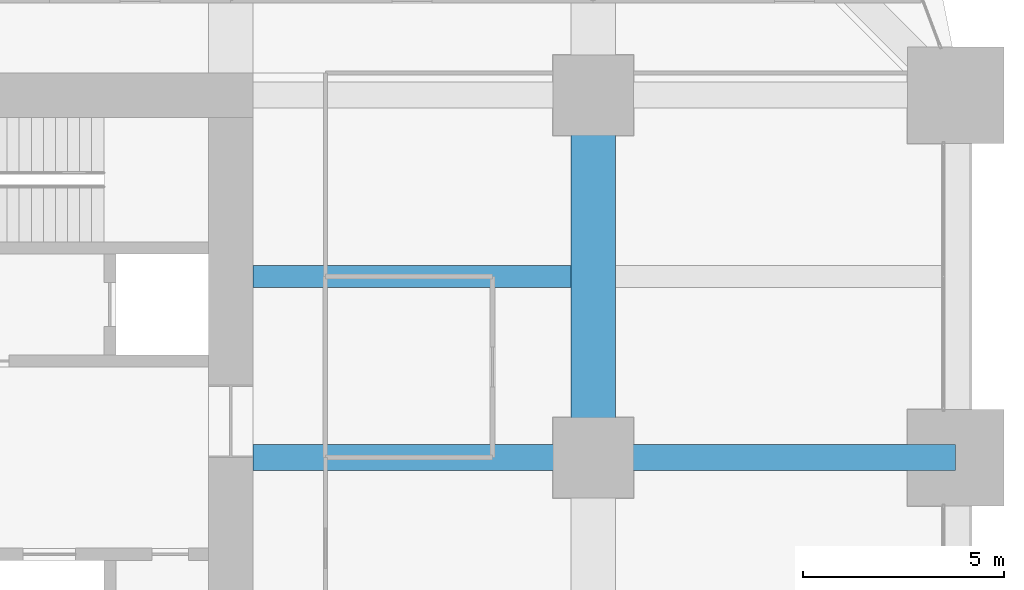
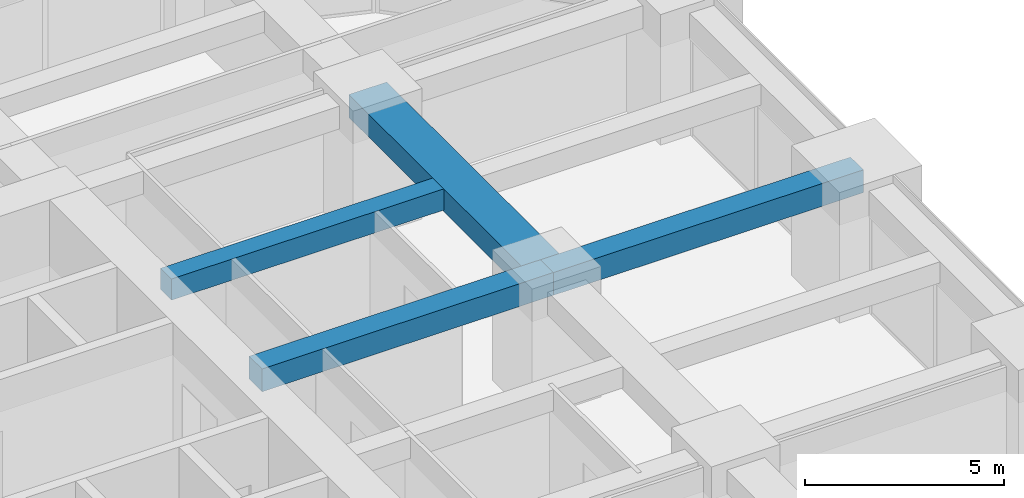
# One storey, part 22 of 41: 4 beams.
"""IFC4 building model written with IfcOpenShell, lengths in metres."""

from ifc_helpers import new_model, si_unit, direction, frame, origin, origin_2d, place, context, subcontext, project, spatial, rectangle, extrude, material, material_profile, profile_set, type_object, element, save


model = new_model("IFC4")

# Units and contexts
model_context = context("Model", 3, precision=1e-05, world=origin(), true_north=direction((0.0, 1.0)))
body_context = subcontext(model_context, "Body", "Model", "MODEL_VIEW")
ifc_project = project(units=[si_unit("LENGTHUNIT", "METRE"), si_unit("AREAUNIT", "SQUARE_METRE"), si_unit("VOLUMEUNIT", "CUBIC_METRE"), si_unit("PLANEANGLEUNIT", "RADIAN"), si_unit("MASSUNIT", "GRAM", prefix="KILO")], contexts=[model_context])

# Site, building, storey
site_placement = place(None, origin())
site = spatial("IfcSite", under=ifc_project, at=site_placement, CompositionType="ELEMENT")
building_placement = place(site_placement, origin())
building = spatial("IfcBuilding", under=site, at=building_placement, Name="Zorevar Civic Tower", CompositionType="ELEMENT")
storey_placement = place(building_placement, frame((0.0, 0.0, 105.0)))
storey = spatial("IfcBuildingStorey", under=building, at=storey_placement, Name="L25", CompositionType="ELEMENT", Elevation=105.0)

# Beams
ifc_material_1 = material(Name="Concrete C50/60", Category="concrete")
ifc_material_profile_1 = material_profile(ifc_material_1, rectangle(XDim=1.10009765625, YDim=0.699951171875, at=origin_2d()), Name="RC 1100x700")
ifc_profile_set_1 = profile_set([ifc_material_profile_1], Name="Concrete C50/60")
beam_type_1 = type_object("IfcBeamType", Name="Beam RC 1100x700", PredefinedType="BEAM", material=ifc_profile_set_1)
beam_1_placement = place(storey_placement, frame((54.0, 27.0, 3.39990234375), z_axis=(0.0, 1.0, 0.0), x_axis=(-1.0, 0.0, 0.0)))
element("IfcBeam", 1, at=beam_1_placement, inside=storey, type_object=beam_type_1, Name="Girder L26", PredefinedType="BEAM", context=body_context, shape_type="SweptSolid", body=[
    extrude(rectangle(XDim=1.10009765625, YDim=0.699951171875, at=origin_2d()), origin(), (0.0, 0.0, 1.0), 9.0),
])
ifc_material_2 = material(Name="Concrete C50/60", Category="concrete")
ifc_material_profile_2 = material_profile(ifc_material_2, rectangle(XDim=0.550048828125, YDim=0.64990234375, at=origin_2d()), Name="RC 550x650")
ifc_profile_set_2 = profile_set([ifc_material_profile_2], Name="Concrete C50/60")
beam_type_2 = type_object("IfcBeamType", Name="Beam RC 550x650", PredefinedType="BEAM", material=ifc_profile_set_2)
beam_2_placement = place(storey_placement, frame((45.550048828125, 31.5, 3.425048828125), z_axis=(1.0, 0.0, 0.0), x_axis=(0.0, 1.0, 0.0)))
element("IfcBeam", 2, at=beam_2_placement, inside=storey, type_object=beam_type_2, Name="Secondary beam L26", PredefinedType="BEAM", context=body_context, shape_type="SweptSolid", body=[
    extrude(rectangle(XDim=0.550048828125, YDim=0.64990234375, at=origin_2d()), origin(), (0.0, 0.0, 1.0), 7.89990234375),
])
ifc_material_3 = material(Name="Concrete C50/60", Category="concrete")
ifc_material_profile_3 = material_profile(ifc_material_3, rectangle(XDim=0.64990234375, YDim=0.699951171875, at=origin_2d()), Name="RC 650x700")
ifc_profile_set_3 = profile_set([ifc_material_profile_3], Name="Concrete C50/60")
beam_type_3 = type_object("IfcBeamType", Name="Beam RC 650x700", PredefinedType="BEAM", material=ifc_profile_set_3)
beam_3_placement = place(storey_placement, frame((45.550048828125, 27.0, 3.39990234375), z_axis=(1.0, 0.0, 0.0), x_axis=(0.0, 1.0, 0.0)))
element("IfcBeam", 3, at=beam_3_placement, inside=storey, type_object=beam_type_3, Name="Girder L26", PredefinedType="BEAM", context=body_context, shape_type="SweptSolid", body=[
    extrude(rectangle(XDim=0.64990234375, YDim=0.699951171875, at=origin_2d()), origin(), (0.0, 0.0, 1.0), 8.449951171875),
])
beam_4_placement = place(storey_placement, frame((54.0, 27.0, 3.39990234375), z_axis=(1.0, 0.0, 0.0), x_axis=(0.0, 1.0, 0.0)))
element("IfcBeam", 4, at=beam_4_placement, inside=storey, type_object=beam_type_3, Name="Girder L26", PredefinedType="BEAM", context=body_context, shape_type="SweptSolid", body=[
    extrude(rectangle(XDim=0.64990234375, YDim=0.699951171875, at=origin_2d()), origin(), (0.0, 0.0, 1.0), 9.0),
])

save(model, "model.ifc")
